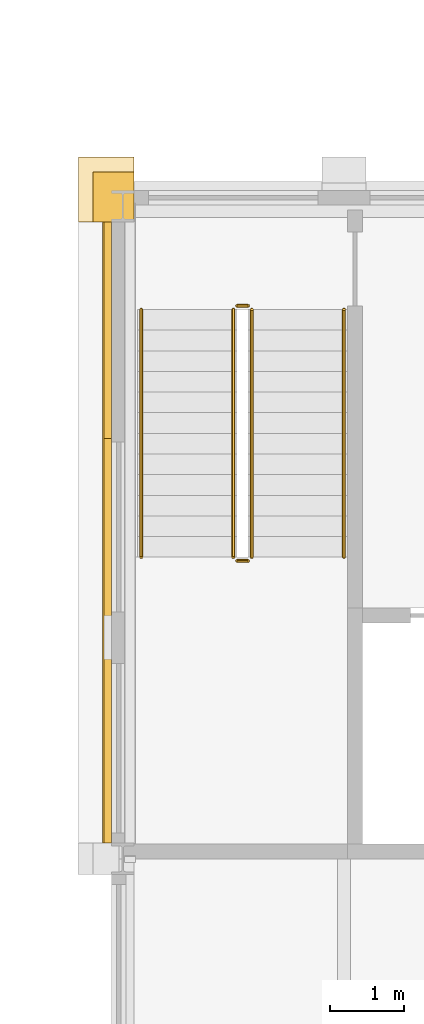
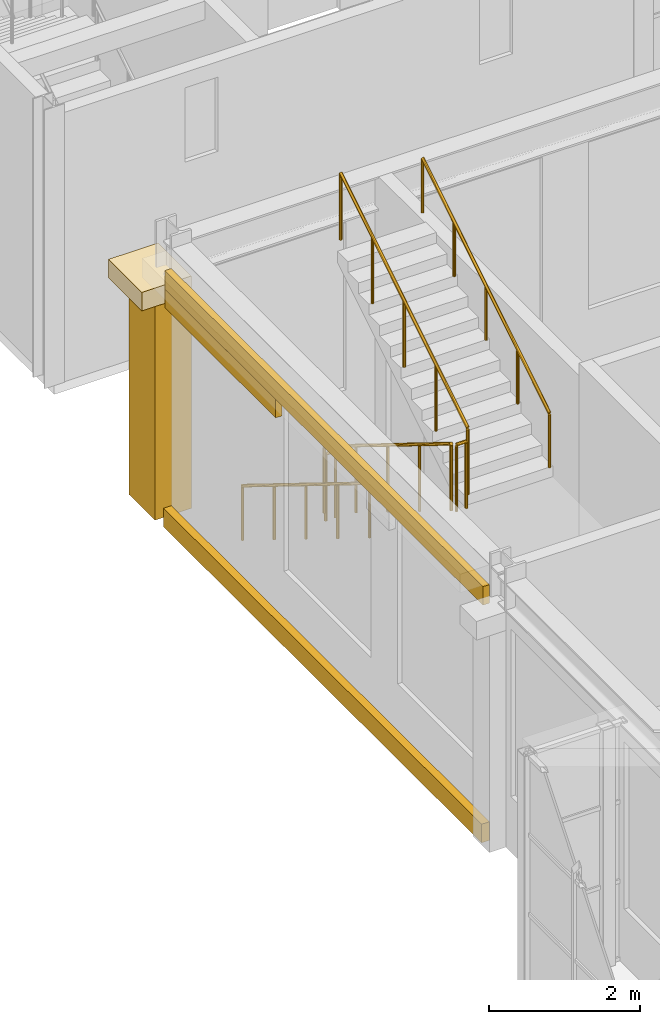
# One storey, part 97 of 111: 6 railings, 5 coverings.
"""IFC4 building model written with IfcOpenShell, lengths in metres."""

import ifcopenshell
import ifcopenshell.guid

model = None  # the IFC model being written
_history = None  # IfcOwnerHistory: only IFC2X3 demands one
_inside = {}  # id of a spatial element -> (the spatial element, [elements in it])
_under = {}  # id of a project, library or spatial element -> (it, [spatial elements below it])
_declared = {}  # id of a project -> (the project, [libraries it declares])
_typed = {}  # id of a type object -> (the type object, [elements of that type])
_made_of = {}  # id of a material, layer set ... -> (it, [elements and type objects made of it])


def new_model(schema):
    """Start an empty IFC model of exactly this schema.

    Asked for "IFC4X3", IfcOpenShell would pick the latest addendum, in which some entities
    have other attributes; the version numbers below select the first issue.
    IFC2X3 requires an IfcOwnerHistory on every rooted entity: one is made here for all.
    """
    global model, _history
    if schema == "IFC4X3":
        model = ifcopenshell.file(schema_version=(4, 3, 0, 0))
    else:
        model = ifcopenshell.file(schema=schema)
    _inside.clear()
    _under.clear()
    _declared.clear()
    _typed.clear()
    _made_of.clear()
    _history = None
    if model.schema == "IFC2X3":
        org = make("IfcOrganization", Name="unknown")
        user = make(
            "IfcPersonAndOrganization",
            ThePerson=make("IfcPerson", FamilyName="unknown"),
            TheOrganization=org,
        )
        app = make(
            "IfcApplication",
            ApplicationDeveloper=org,
            Version="unknown",
            ApplicationFullName="unknown",
            ApplicationIdentifier="unknown",
        )
        _history = make(
            "IfcOwnerHistory",
            OwningUser=user,
            OwningApplication=app,
            ChangeAction="ADDED",
            CreationDate=0,
        )
    return model


def make(cls, **values):
    """One entity of the class cls with the attributes given. An attribute that is None is left unset."""
    return model.create_entity(
        cls, **{name: value for name, value in values.items() if value is not None}
    )


def rooted(cls, **values):
    """An entity with a GlobalId (a new one), such as an element, a storey or a relation."""
    return make(cls, GlobalId=ifcopenshell.guid.new(), OwnerHistory=_history, **values)


def si_unit(unit_type, name, prefix=None):
    """IfcSIUnit, for example si_unit("LENGTHUNIT", "METRE", prefix="MILLI")."""
    return make("IfcSIUnit", UnitType=unit_type, Prefix=prefix, Name=name)


def assignment(units):
    """IfcUnitAssignment: the units of a project."""
    return None if units is None else make("IfcUnitAssignment", Units=units)


def point(xyz):
    """IfcCartesianPoint."""
    return None if xyz is None else make("IfcCartesianPoint", Coordinates=xyz)


def direction(xyz):
    """IfcDirection."""
    return None if xyz is None else make("IfcDirection", DirectionRatios=xyz)


def frame(location, z_axis=None, x_axis=None):
    """IfcAxis2Placement3D, a coordinate frame: its origin and axes. An axis left out is left unset."""
    return make(
        "IfcAxis2Placement3D",
        Location=point(location),
        Axis=direction(z_axis),
        RefDirection=direction(x_axis),
    )


def frame_2d(location, x_axis=None):
    """IfcAxis2Placement2D, a coordinate frame in the plane: its origin and x axis."""
    return make(
        "IfcAxis2Placement2D", Location=point(location), RefDirection=direction(x_axis)
    )


def origin():
    """The frame at (0, 0, 0) with its axes left unset."""
    return frame((0.0, 0.0, 0.0))


def origin_2d():
    """The frame at (0, 0) in the plane with its x axis left unset."""
    return frame_2d((0.0, 0.0))


def place(relative_to, where):
    """IfcLocalPlacement: puts the frame where relative to a parent placement (None: the world)."""
    return make(
        "IfcLocalPlacement", PlacementRelTo=relative_to, RelativePlacement=where
    )


def context(
    kind, dimensions, precision=None, world=None, true_north=None, identifier=None
):
    """IfcGeometricRepresentationContext, for example the 3D "Model" context."""
    return make(
        "IfcGeometricRepresentationContext",
        ContextIdentifier=identifier,
        ContextType=kind,
        CoordinateSpaceDimension=dimensions,
        Precision=precision,
        WorldCoordinateSystem=world,
        TrueNorth=true_north,
    )


def subcontext(parent, identifier, kind, view, scale=None):
    """IfcGeometricRepresentationSubContext, for example "Body" below "Model"."""
    return make(
        "IfcGeometricRepresentationSubContext",
        ContextIdentifier=identifier,
        ContextType=kind,
        ParentContext=parent,
        TargetScale=scale,
        TargetView=view,
    )


def project(units=None, contexts=None):
    """IfcProject with its units and contexts."""
    return rooted(
        "IfcProject",
        Name="project",
        RepresentationContexts=contexts,
        UnitsInContext=assignment(units),
    )


def spatial(cls, under=None, at=None, **own):
    """A site, building, storey or space (cls), placed at a placement, below another one or the project."""
    s = rooted(cls, ObjectPlacement=at, **own)
    if under is not None:
        _under.setdefault(under.id(), (under, []))[1].append(s)
    return s


def profile(cls, at=None, kind="AREA", **sizes):
    """A parametric profile (cls). Its sizes go by their IFC names, for example OverallWidth=200.0."""
    return make(cls, ProfileType=kind, Position=at, **sizes)


def rectangle(**sizes):
    """IfcRectangleProfileDef."""
    return profile("IfcRectangleProfileDef", **sizes)


def circle(**sizes):
    """IfcCircleProfileDef."""
    return profile("IfcCircleProfileDef", **sizes)


def extrude(swept, where, along, depth):
    """IfcExtrudedAreaSolid: the profile swept, set in the frame where, extruded along a direction by depth."""
    return make(
        "IfcExtrudedAreaSolid",
        SweptArea=swept,
        Position=where,
        ExtrudedDirection=direction(along),
        Depth=depth,
    )


def shape(context_of_items, identifier, shape_type, items):
    """IfcShapeRepresentation: the items that make up one representation, for example the "Body"."""
    return make(
        "IfcShapeRepresentation",
        ContextOfItems=context_of_items,
        RepresentationIdentifier=identifier,
        RepresentationType=shape_type,
        Items=items,
    )


def material(Name=None, Category=None):
    """IfcMaterial."""
    return make("IfcMaterial", Name=Name, Category=Category)


def layer(
    of_material, thickness, ventilated=None, Name=None, Category=None, Priority=None
):
    """IfcMaterialLayer: one layer of a wall or slab, of a material (None: an air gap)."""
    return make(
        "IfcMaterialLayer",
        Material=of_material,
        LayerThickness=thickness,
        IsVentilated=ventilated,
        Name=Name,
        Category=Category,
        Priority=Priority,
    )


def layer_set(layers, Name=None):
    """IfcMaterialLayerSet."""
    return make("IfcMaterialLayerSet", MaterialLayers=layers, LayerSetName=Name)


def made_of(thing, what):
    """Note that an element or type object is made of a material, layer set ...; save() writes the relation."""
    if what is not None:
        _made_of.setdefault(what.id(), (what, []))[1].append(thing)
    return thing


def type_object(cls, material=None, **own):
    """A type object (cls), such as IfcWallType, which elements share."""
    return made_of(rooted(cls, **own), material)


def element(
    cls,
    number,
    at=None,
    inside=None,
    cuts=None,
    type_object=None,
    material=None,
    context=None,
    identifier="Body",
    shape_type=None,
    held_by="IfcProductDefinitionShape",
    body=None,
    shapes=None,
    **own,
):
    """One element of the class cls, such as IfcWall. Its Tag is "e" and its number.

    at: its placement. inside: the storey or other place that contains it. cuts: it is an
    opening in that element (IfcRelVoidsElement). A single representation is given by context,
    identifier, shape_type and body (its items); several are given by shapes. held_by: the class
    of the entity that holds the representations. save() writes the other relations.
    """
    e = rooted(cls, Tag="e%d" % number, ObjectPlacement=at, **own)
    if body is not None:
        shapes = [shape(context, identifier, shape_type, body)]
    if shapes is not None:
        e.Representation = make(held_by, Representations=shapes)
    if inside is not None:
        _inside.setdefault(inside.id(), (inside, []))[1].append(e)
    if cuts is not None:
        rooted(
            "IfcRelVoidsElement", RelatingBuildingElement=cuts, RelatedOpeningElement=e
        )
    if type_object is not None:
        _typed.setdefault(type_object.id(), (type_object, []))[1].append(e)
    return made_of(e, material)


def aggregate(whole, parts):
    """IfcRelAggregates: a whole, such as a stair, and the parts it consists of."""
    return rooted("IfcRelAggregates", RelatingObject=whole, RelatedObjects=parts)


def save(model, path):
    """Write the relations noted so far, then the file.

    IfcRelAggregates (storeys below a building ...), IfcRelContainedInSpatialStructure (elements
    in a storey), IfcRelDefinesByType, IfcRelAssociatesMaterial and IfcRelDeclares: one each for
    every whole, place, type object, material and project.
    """
    for whole, parts in _under.values():
        aggregate(whole, parts)
    for where, things in _inside.values():
        rooted(
            "IfcRelContainedInSpatialStructure",
            RelatedElements=things,
            RelatingStructure=where,
        )
    for kind, things in _typed.values():
        rooted("IfcRelDefinesByType", RelatedObjects=things, RelatingType=kind)
    for what, things in _made_of.values():
        rooted("IfcRelAssociatesMaterial", RelatedObjects=things, RelatingMaterial=what)
    for by, libraries in _declared.values():
        rooted("IfcRelDeclares", RelatingContext=by, RelatedDefinitions=libraries)
    model.write(path)


model = new_model("IFC4")

# Units and contexts
model_context = context("Model", 3, precision=1e-05, world=origin(), true_north=direction((0.0, 1.0)))
body_context = subcontext(model_context, "Body", "Model", "MODEL_VIEW")
ifc_project = project(units=[si_unit("LENGTHUNIT", "METRE"), si_unit("AREAUNIT", "SQUARE_METRE"), si_unit("VOLUMEUNIT", "CUBIC_METRE"), si_unit("PLANEANGLEUNIT", "RADIAN"), si_unit("MASSUNIT", "GRAM", prefix="KILO")], contexts=[model_context])

# Site, building, storey
site_placement = place(None, origin())
site = spatial("IfcSite", under=ifc_project, at=site_placement, CompositionType="ELEMENT")
building_placement = place(site_placement, origin())
building = spatial("IfcBuilding", under=site, at=building_placement, Name="Kallimachos Central Library", CompositionType="ELEMENT")
storey_placement = place(building_placement, frame((0.0, 0.0, 14.39990234375)))
storey = spatial("IfcBuildingStorey", under=building, at=storey_placement, Name="L03", CompositionType="ELEMENT", Elevation=14.39990234375)

# Coverings
ifc_material_1 = material(Name="Glazed ceramic frieze, green")
ifc_layer_1 = layer(ifc_material_1, 0.10009765625)
ifc_layer_set_1 = layer_set([ifc_layer_1], Name="Glazed ceramic frieze, green")
covering_type_1 = type_object("IfcCoveringType", Name="Glazed ceramic frieze, green", PredefinedType="CLADDING", material=ifc_layer_set_1)
covering_1_placement = place(storey_placement, frame((65.29638671875, 79.425048828125, 3.68017578125), z_axis=(0.0, 0.0, 1.0), x_axis=(1.0, 0.0, 0.0)))
element("IfcCovering", 1, at=covering_1_placement, inside=storey, type_object=covering_type_1, Name="Glazed ceramic frieze, green -L03-022", PredefinedType="CLADDING", context=body_context, shape_type="SweptSolid", body=[
    extrude(rectangle(XDim=0.10009765625, YDim=8.41796875, at=origin_2d()), origin(), (0.0, 0.0, 1.0), 0.300048828125),
])
ifc_material_2 = material(Name="Glazed ceramic frieze, ochre")
ifc_layer_2 = layer(ifc_material_2, 0.10009765625)
ifc_layer_set_2 = layer_set([ifc_layer_2], Name="Glazed ceramic frieze, ochre")
covering_type_2 = type_object("IfcCoveringType", Name="Glazed ceramic frieze, ochre", PredefinedType="CLADDING", material=ifc_layer_set_2)
covering_2_placement = place(storey_placement, frame((65.29638671875, 82.1669921875, 3.3798828125), z_axis=(0.0, 0.0, 1.0), x_axis=(1.0, 0.0, 0.0)))
element("IfcCovering", 2, at=covering_2_placement, inside=storey, type_object=covering_type_2, Name="Glazed ceramic frieze, ochre -L03-022", PredefinedType="CLADDING", context=body_context, shape_type="SweptSolid", body=[
    extrude(rectangle(XDim=0.10009765625, YDim=2.93408203125, at=origin_2d()), origin(), (0.0, 0.0, 1.0), 0.300048828125),
])

# Railings
ifc_material_3 = material(Name="Wrought iron")
railing_type_1 = type_object("IfcRailingType", Name="Stair guard", PredefinedType="GUARDRAIL", material=ifc_material_3)
railing_1_placement = place(storey_placement, frame((67.0, 82.449951171875, 0.173095703125)))
element("IfcRailing", 3, at=railing_1_placement, inside=storey, type_object=railing_type_1, Name="L03 ST9 stair guard 1", PredefinedType="GUARDRAIL", context=body_context, shape_type="SweptSolid", body=[
    extrude(circle(Radius=0.02392578125, at=origin_2d()), frame((0.0, 0.0, 1.076171875), z_axis=(0.0, -0.850606129759, 0.525803396734), x_axis=(1.0, 0.0, 0.0)), (0.0, 0.0, 1.0), 3.949951171875),
    extrude(circle(Radius=0.02099609375, at=origin_2d()), origin(), (0.0, 0.0, 1.0), 1.052001953125),
    extrude(circle(Radius=0.02099609375, at=origin_2d()), frame((0.0, -0.83984375, 0.519287109375)), (0.0, 0.0, 1.0), 1.052001953125),
    extrude(circle(Radius=0.02099609375, at=origin_2d()), frame((0.0, -1.679931640625, 1.03857421875)), (0.0, 0.0, 1.0), 1.052001953125),
    extrude(circle(Radius=0.02099609375, at=origin_2d()), frame((0.0, -2.52001953125, 1.5576171875)), (0.0, 0.0, 1.0), 1.052001953125),
    extrude(circle(Radius=0.02099609375, at=origin_2d()), frame((0.0, -3.35986328125, 2.076904296875)), (0.0, 0.0, 1.0), 1.052001953125),
])
railing_2_placement = place(storey_placement, frame((67.050048828125, 79.0400390625, 2.25)))
element("IfcRailing", 4, at=railing_2_placement, inside=storey, type_object=railing_type_1, Name="L03 ST9 stair guard 2", PredefinedType="GUARDRAIL", context=body_context, shape_type="SweptSolid", body=[
    extrude(circle(Radius=0.02392578125, at=origin_2d()), frame((0.0, 0.0, 1.076171875), z_axis=(1.0, 0.0, 0.0), x_axis=(0.0, 1.0, 0.0)), (0.0, 0.0, 1.0), 0.14990234375),
    extrude(circle(Radius=0.02099609375, at=origin_2d()), origin(), (0.0, 0.0, 1.0), 1.052001953125),
    extrude(circle(Radius=0.02099609375, at=origin_2d()), frame((0.14990234375, 0.0, 0.0)), (0.0, 0.0, 1.0), 1.052001953125),
])
railing_3_placement = place(storey_placement, frame((67.25, 79.090087890625, 2.423095703125)))
element("IfcRailing", 5, at=railing_3_placement, inside=storey, type_object=railing_type_1, Name="L03 ST9 stair guard 3", PredefinedType="GUARDRAIL", context=body_context, shape_type="SweptSolid", body=[
    extrude(circle(Radius=0.02392578125, at=origin_2d()), frame((0.0, 0.0, 1.076171875), z_axis=(0.0, 0.850606129759, 0.525803396734), x_axis=(-1.0, 0.0, 0.0)), (0.0, 0.0, 1.0), 3.949951171875),
    extrude(circle(Radius=0.02099609375, at=origin_2d()), origin(), (0.0, 0.0, 1.0), 1.052001953125),
    extrude(circle(Radius=0.02099609375, at=origin_2d()), frame((0.0, 0.83984375, 0.519287109375)), (0.0, 0.0, 1.0), 1.052001953125),
    extrude(circle(Radius=0.02099609375, at=origin_2d()), frame((0.0, 1.679931640625, 1.03857421875)), (0.0, 0.0, 1.0), 1.052001953125),
    extrude(circle(Radius=0.02099609375, at=origin_2d()), frame((0.0, 2.52001953125, 1.5576171875)), (0.0, 0.0, 1.0), 1.052001953125),
    extrude(circle(Radius=0.02099609375, at=origin_2d()), frame((0.0, 3.35986328125, 2.076904296875)), (0.0, 0.0, 1.0), 1.052001953125),
])
railing_4_placement = place(storey_placement, frame((67.050048828125, 82.5, 0.0)))
element("IfcRailing", 6, at=railing_4_placement, inside=storey, type_object=railing_type_1, Name="L03 ST9 stair guard 4", PredefinedType="GUARDRAIL", context=body_context, shape_type="SweptSolid", body=[
    extrude(circle(Radius=0.02392578125, at=origin_2d()), frame((0.0, 0.0, 1.076171875), z_axis=(1.0, 0.0, 0.0), x_axis=(0.0, 1.0, 0.0)), (0.0, 0.0, 1.0), 0.14990234375),
    extrude(circle(Radius=0.02099609375, at=origin_2d()), origin(), (0.0, 0.0, 1.0), 1.052001953125),
    extrude(circle(Radius=0.02099609375, at=origin_2d()), frame((0.14990234375, 0.0, 0.0)), (0.0, 0.0, 1.0), 1.052001953125),
])
ifc_material_4 = material(Name="Wrought iron")
railing_type_2 = type_object("IfcRailingType", Name="Stair handrail", PredefinedType="HANDRAIL", material=ifc_material_4)
railing_5_placement = place(storey_placement, frame((65.75, 82.449951171875, 0.173095703125)))
element("IfcRailing", 7, at=railing_5_placement, inside=storey, type_object=railing_type_2, Name="L03 ST9 stair handrail 1", PredefinedType="HANDRAIL", context=body_context, shape_type="SweptSolid", body=[
    extrude(circle(Radius=0.02392578125, at=origin_2d()), frame((0.0, 0.0, 0.8759765625), z_axis=(0.0, -0.850606129759, 0.525803396734), x_axis=(1.0, 0.0, 0.0)), (0.0, 0.0, 1.0), 3.949951171875),
    extrude(circle(Radius=0.02099609375, at=origin_2d()), origin(), (0.0, 0.0, 1.0), 0.851806640625),
    extrude(circle(Radius=0.02099609375, at=origin_2d()), frame((0.0, -0.83984375, 0.519287109375)), (0.0, 0.0, 1.0), 0.851806640625),
    extrude(circle(Radius=0.02099609375, at=origin_2d()), frame((0.0, -1.679931640625, 1.03857421875)), (0.0, 0.0, 1.0), 0.851806640625),
    extrude(circle(Radius=0.02099609375, at=origin_2d()), frame((0.0, -2.52001953125, 1.5576171875)), (0.0, 0.0, 1.0), 0.851806640625),
    extrude(circle(Radius=0.02099609375, at=origin_2d()), frame((0.0, -3.35986328125, 2.076904296875)), (0.0, 0.0, 1.0), 0.851806640625),
])
railing_6_placement = place(storey_placement, frame((68.5, 79.090087890625, 2.423095703125)))
element("IfcRailing", 8, at=railing_6_placement, inside=storey, type_object=railing_type_2, Name="L03 ST9 stair handrail 2", PredefinedType="HANDRAIL", context=body_context, shape_type="SweptSolid", body=[
    extrude(circle(Radius=0.02392578125, at=origin_2d()), frame((0.0, 0.0, 0.8759765625), z_axis=(0.0, 0.850606129759, 0.525803396734), x_axis=(-1.0, 0.0, 0.0)), (0.0, 0.0, 1.0), 3.949951171875),
    extrude(circle(Radius=0.02099609375, at=origin_2d()), origin(), (0.0, 0.0, 1.0), 0.851806640625),
    extrude(circle(Radius=0.02099609375, at=origin_2d()), frame((0.0, 0.83984375, 0.519287109375)), (0.0, 0.0, 1.0), 0.851806640625),
    extrude(circle(Radius=0.02099609375, at=origin_2d()), frame((0.0, 1.679931640625, 1.03857421875)), (0.0, 0.0, 1.0), 0.851806640625),
    extrude(circle(Radius=0.02099609375, at=origin_2d()), frame((0.0, 2.52001953125, 1.5576171875)), (0.0, 0.0, 1.0), 0.851806640625),
    extrude(circle(Radius=0.02099609375, at=origin_2d()), frame((0.0, 3.35986328125, 2.076904296875)), (0.0, 0.0, 1.0), 0.851806640625),
])

# Coverings
ifc_material_5 = material(Name="Pentelic marble attic moulding", Category="masonry")
ifc_layer_3 = layer(ifc_material_5, 0.1201171875)
ifc_layer_set_3 = layer_set([ifc_layer_3], Name="Stone attic moulding 300")
covering_type_3 = type_object("IfcCoveringType", Name="Stone attic moulding 300", PredefinedType="MOLDING", material=ifc_layer_set_3)
covering_3_placement = place(storey_placement, frame((65.28662109375, 79.425048828125, -0.14990234375), z_axis=(0.0, 0.0, 1.0), x_axis=(1.0, 0.0, 0.0)))
element("IfcCovering", 9, at=covering_3_placement, inside=storey, type_object=covering_type_3, Name="Stone attic moulding 300 -L03-022", PredefinedType="MOLDING", context=body_context, shape_type="SweptSolid", body=[
    extrude(rectangle(XDim=0.1201171875, YDim=8.41796875, at=origin_2d()), origin(), (0.0, 0.0, 1.0), 0.300048828125),
])
ifc_material_6 = material(Name="Pentelic marble cornice", Category="masonry")
ifc_layer_4 = layer(ifc_material_6, 0.449951171875)
ifc_layer_set_4 = layer_set([ifc_layer_4], Name="Stone cornice 450")
covering_type_4 = type_object("IfcCoveringType", Name="Stone cornice 450", PredefinedType="MOLDING", material=ifc_layer_set_4)
covering_4_placement = place(storey_placement, frame((65.27490234375, 84.074951171875, 3.4501953125), z_axis=(0.0, 0.0, 1.0), x_axis=(1.0, 0.0, 0.0)))
element("IfcCovering", 10, at=covering_4_placement, inside=storey, type_object=covering_type_4, Name="Stone cornice 450 corner", PredefinedType="MOLDING", context=body_context, shape_type="SweptSolid", body=[
    extrude(rectangle(XDim=0.757080078125, YDim=0.882080078125, at=origin_2d()), origin(), (0.0, 0.0, 1.0), 0.300048828125),
])
ifc_material_7 = material(Name="Pentelic marble pilaster", Category="masonry")
ifc_layer_5 = layer(ifc_material_7, 0.25)
ifc_layer_set_5 = layer_set([ifc_layer_5], Name="Stone pilaster 250")
covering_type_5 = type_object("IfcCoveringType", Name="Stone pilaster 250", PredefinedType="CLADDING", material=ifc_layer_set_5)
covering_5_placement = place(storey_placement, frame((65.375, 83.97509765625, 0.0), z_axis=(0.0, 0.0, 1.0), x_axis=(1.0, 0.0, 0.0)))
element("IfcCovering", 11, at=covering_5_placement, inside=storey, type_object=covering_type_5, Name="Stone pilaster 250 corner", PredefinedType="CLADDING", context=body_context, shape_type="SweptSolid", body=[
    extrude(rectangle(XDim=0.556884765625, YDim=0.681884765625, at=origin_2d()), origin(), (0.0, 0.0, 1.0), 3.449951171875),
])

save(model, "model.ifc")
